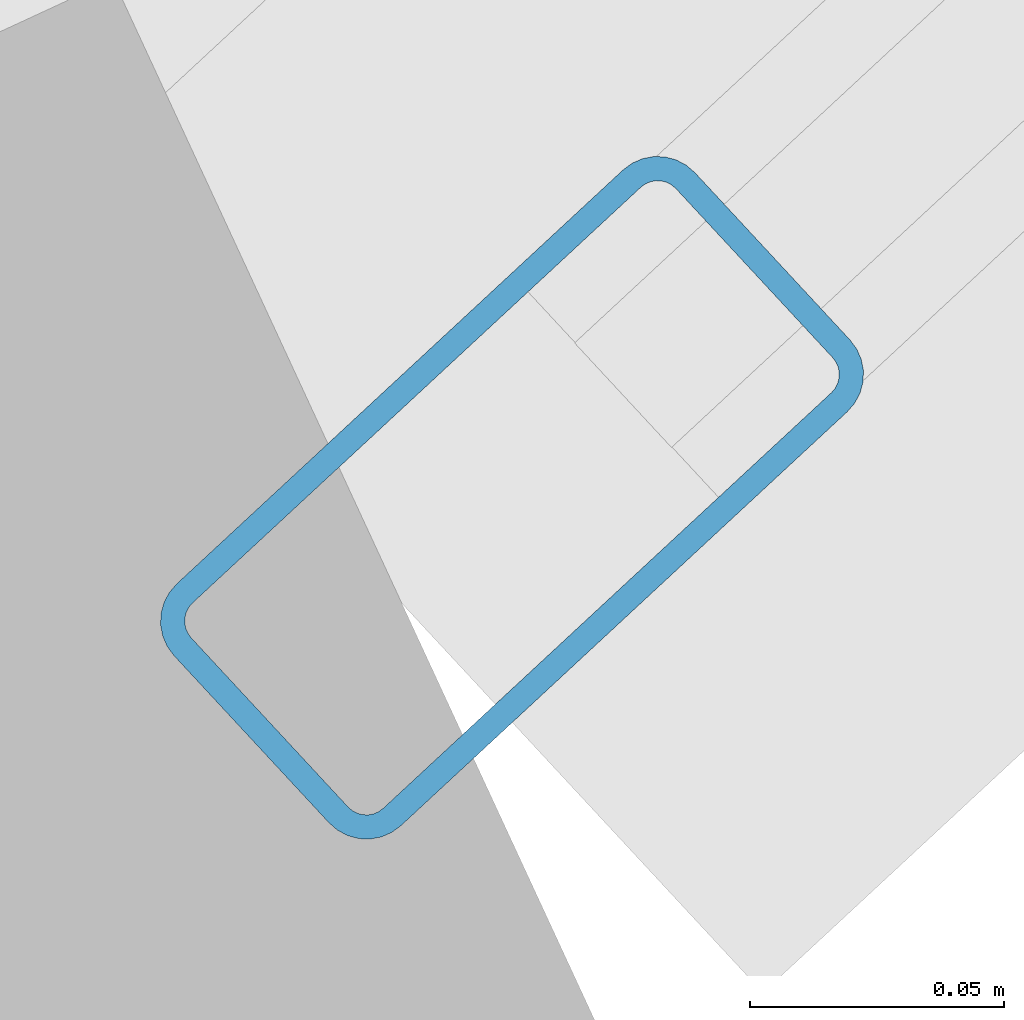
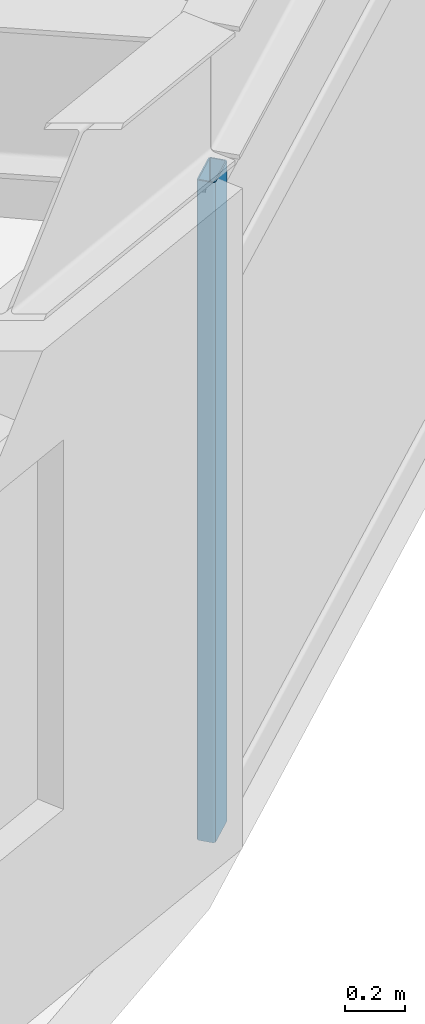
# One storey, part 5 of 25: 1 member, 1 element without a shape of its own.
"""IFC4 building model written with IfcOpenShell, lengths in metres."""

import ifcopenshell
import ifcopenshell.guid

model = None  # the IFC model being written
_history = None  # IfcOwnerHistory: only IFC2X3 demands one
_inside = {}  # id of a spatial element -> (the spatial element, [elements in it])
_under = {}  # id of a project, library or spatial element -> (it, [spatial elements below it])
_declared = {}  # id of a project -> (the project, [libraries it declares])
_typed = {}  # id of a type object -> (the type object, [elements of that type])
_made_of = {}  # id of a material, layer set ... -> (it, [elements and type objects made of it])


def new_model(schema):
    """Start an empty IFC model of exactly this schema.

    Asked for "IFC4X3", IfcOpenShell would pick the latest addendum, in which some entities
    have other attributes; the version numbers below select the first issue.
    IFC2X3 requires an IfcOwnerHistory on every rooted entity: one is made here for all.
    """
    global model, _history
    if schema == "IFC4X3":
        model = ifcopenshell.file(schema_version=(4, 3, 0, 0))
    else:
        model = ifcopenshell.file(schema=schema)
    _inside.clear()
    _under.clear()
    _declared.clear()
    _typed.clear()
    _made_of.clear()
    _history = None
    if model.schema == "IFC2X3":
        org = make("IfcOrganization", Name="unknown")
        user = make(
            "IfcPersonAndOrganization",
            ThePerson=make("IfcPerson", FamilyName="unknown"),
            TheOrganization=org,
        )
        app = make(
            "IfcApplication",
            ApplicationDeveloper=org,
            Version="unknown",
            ApplicationFullName="unknown",
            ApplicationIdentifier="unknown",
        )
        _history = make(
            "IfcOwnerHistory",
            OwningUser=user,
            OwningApplication=app,
            ChangeAction="ADDED",
            CreationDate=0,
        )
    return model


def make(cls, **values):
    """One entity of the class cls with the attributes given. An attribute that is None is left unset."""
    return model.create_entity(
        cls, **{name: value for name, value in values.items() if value is not None}
    )


def rooted(cls, **values):
    """An entity with a GlobalId (a new one), such as an element, a storey or a relation."""
    return make(cls, GlobalId=ifcopenshell.guid.new(), OwnerHistory=_history, **values)


def si_unit(unit_type, name, prefix=None):
    """IfcSIUnit, for example si_unit("LENGTHUNIT", "METRE", prefix="MILLI")."""
    return make("IfcSIUnit", UnitType=unit_type, Prefix=prefix, Name=name)


def assignment(units):
    """IfcUnitAssignment: the units of a project."""
    return None if units is None else make("IfcUnitAssignment", Units=units)


def point(xyz):
    """IfcCartesianPoint."""
    return None if xyz is None else make("IfcCartesianPoint", Coordinates=xyz)


def direction(xyz):
    """IfcDirection."""
    return None if xyz is None else make("IfcDirection", DirectionRatios=xyz)


def frame(location, z_axis=None, x_axis=None):
    """IfcAxis2Placement3D, a coordinate frame: its origin and axes. An axis left out is left unset."""
    return make(
        "IfcAxis2Placement3D",
        Location=point(location),
        Axis=direction(z_axis),
        RefDirection=direction(x_axis),
    )


def frame_2d(location, x_axis=None):
    """IfcAxis2Placement2D, a coordinate frame in the plane: its origin and x axis."""
    return make(
        "IfcAxis2Placement2D", Location=point(location), RefDirection=direction(x_axis)
    )


def origin():
    """The frame at (0, 0, 0) with its axes left unset."""
    return frame((0.0, 0.0, 0.0))


def origin_2d():
    """The frame at (0, 0) in the plane with its x axis left unset."""
    return frame_2d((0.0, 0.0))


def place(relative_to, where):
    """IfcLocalPlacement: puts the frame where relative to a parent placement (None: the world)."""
    return make(
        "IfcLocalPlacement", PlacementRelTo=relative_to, RelativePlacement=where
    )


def context(
    kind, dimensions, precision=None, world=None, true_north=None, identifier=None
):
    """IfcGeometricRepresentationContext, for example the 3D "Model" context."""
    return make(
        "IfcGeometricRepresentationContext",
        ContextIdentifier=identifier,
        ContextType=kind,
        CoordinateSpaceDimension=dimensions,
        Precision=precision,
        WorldCoordinateSystem=world,
        TrueNorth=true_north,
    )


def subcontext(parent, identifier, kind, view, scale=None):
    """IfcGeometricRepresentationSubContext, for example "Body" below "Model"."""
    return make(
        "IfcGeometricRepresentationSubContext",
        ContextIdentifier=identifier,
        ContextType=kind,
        ParentContext=parent,
        TargetScale=scale,
        TargetView=view,
    )


def project(units=None, contexts=None):
    """IfcProject with its units and contexts."""
    return rooted(
        "IfcProject",
        Name="project",
        RepresentationContexts=contexts,
        UnitsInContext=assignment(units),
    )


def spatial(cls, under=None, at=None, **own):
    """A site, building, storey or space (cls), placed at a placement, below another one or the project."""
    s = rooted(cls, ObjectPlacement=at, **own)
    if under is not None:
        _under.setdefault(under.id(), (under, []))[1].append(s)
    return s


def profile(cls, at=None, kind="AREA", **sizes):
    """A parametric profile (cls). Its sizes go by their IFC names, for example OverallWidth=200.0."""
    return make(cls, ProfileType=kind, Position=at, **sizes)


def hollow_rectangle(**sizes):
    """IfcRectangleHollowProfileDef."""
    return profile("IfcRectangleHollowProfileDef", **sizes)


def extrude(swept, where, along, depth):
    """IfcExtrudedAreaSolid: the profile swept, set in the frame where, extruded along a direction by depth."""
    return make(
        "IfcExtrudedAreaSolid",
        SweptArea=swept,
        Position=where,
        ExtrudedDirection=direction(along),
        Depth=depth,
    )


def shape(context_of_items, identifier, shape_type, items):
    """IfcShapeRepresentation: the items that make up one representation, for example the "Body"."""
    return make(
        "IfcShapeRepresentation",
        ContextOfItems=context_of_items,
        RepresentationIdentifier=identifier,
        RepresentationType=shape_type,
        Items=items,
    )


def material(Name=None, Category=None):
    """IfcMaterial."""
    return make("IfcMaterial", Name=Name, Category=Category)


def layer(
    of_material, thickness, ventilated=None, Name=None, Category=None, Priority=None
):
    """IfcMaterialLayer: one layer of a wall or slab, of a material (None: an air gap)."""
    return make(
        "IfcMaterialLayer",
        Material=of_material,
        LayerThickness=thickness,
        IsVentilated=ventilated,
        Name=Name,
        Category=Category,
        Priority=Priority,
    )


def layer_set(layers, Name=None):
    """IfcMaterialLayerSet."""
    return make("IfcMaterialLayerSet", MaterialLayers=layers, LayerSetName=Name)


def material_profile(
    of_material, cross_section, Name=None, Category=None, Priority=None
):
    """IfcMaterialProfile: a cross section and its material."""
    return make(
        "IfcMaterialProfile",
        Name=Name,
        Material=of_material,
        Profile=cross_section,
        Priority=Priority,
        Category=Category,
    )


def profile_set(profiles, Name=None, composite=None):
    """IfcMaterialProfileSet."""
    return make(
        "IfcMaterialProfileSet",
        Name=Name,
        MaterialProfiles=profiles,
        CompositeProfile=composite,
    )


def made_of(thing, what):
    """Note that an element or type object is made of a material, layer set ...; save() writes the relation."""
    if what is not None:
        _made_of.setdefault(what.id(), (what, []))[1].append(thing)
    return thing


def type_object(cls, material=None, **own):
    """A type object (cls), such as IfcWallType, which elements share."""
    return made_of(rooted(cls, **own), material)


def element(
    cls,
    number,
    at=None,
    inside=None,
    cuts=None,
    type_object=None,
    material=None,
    context=None,
    identifier="Body",
    shape_type=None,
    held_by="IfcProductDefinitionShape",
    body=None,
    shapes=None,
    **own,
):
    """One element of the class cls, such as IfcWall. Its Tag is "e" and its number.

    at: its placement. inside: the storey or other place that contains it. cuts: it is an
    opening in that element (IfcRelVoidsElement). A single representation is given by context,
    identifier, shape_type and body (its items); several are given by shapes. held_by: the class
    of the entity that holds the representations. save() writes the other relations.
    """
    e = rooted(cls, Tag="e%d" % number, ObjectPlacement=at, **own)
    if body is not None:
        shapes = [shape(context, identifier, shape_type, body)]
    if shapes is not None:
        e.Representation = make(held_by, Representations=shapes)
    if inside is not None:
        _inside.setdefault(inside.id(), (inside, []))[1].append(e)
    if cuts is not None:
        rooted(
            "IfcRelVoidsElement", RelatingBuildingElement=cuts, RelatedOpeningElement=e
        )
    if type_object is not None:
        _typed.setdefault(type_object.id(), (type_object, []))[1].append(e)
    return made_of(e, material)


def aggregate(whole, parts):
    """IfcRelAggregates: a whole, such as a stair, and the parts it consists of."""
    return rooted("IfcRelAggregates", RelatingObject=whole, RelatedObjects=parts)


def save(model, path):
    """Write the relations noted so far, then the file.

    IfcRelAggregates (storeys below a building ...), IfcRelContainedInSpatialStructure (elements
    in a storey), IfcRelDefinesByType, IfcRelAssociatesMaterial and IfcRelDeclares: one each for
    every whole, place, type object, material and project.
    """
    for whole, parts in _under.values():
        aggregate(whole, parts)
    for where, things in _inside.values():
        rooted(
            "IfcRelContainedInSpatialStructure",
            RelatedElements=things,
            RelatingStructure=where,
        )
    for kind, things in _typed.values():
        rooted("IfcRelDefinesByType", RelatedObjects=things, RelatingType=kind)
    for what, things in _made_of.values():
        rooted("IfcRelAssociatesMaterial", RelatedObjects=things, RelatingMaterial=what)
    for by, libraries in _declared.values():
        rooted("IfcRelDeclares", RelatingContext=by, RelatedDefinitions=libraries)
    model.write(path)


model = new_model("IFC4")

# Units and contexts
model_context = context("Model", 3, precision=1e-05, world=origin(), true_north=direction((0.0, 1.0)))
body_context = subcontext(model_context, "Body", "Model", "MODEL_VIEW")
ifc_project = project(units=[si_unit("LENGTHUNIT", "METRE"), si_unit("AREAUNIT", "SQUARE_METRE"), si_unit("VOLUMEUNIT", "CUBIC_METRE"), si_unit("PLANEANGLEUNIT", "RADIAN"), si_unit("MASSUNIT", "GRAM", prefix="KILO")], contexts=[model_context])

# Site, building, storey
site_placement = place(None, origin())
site = spatial("IfcSite", under=ifc_project, at=site_placement, CompositionType="ELEMENT")
building_placement = place(site_placement, origin())
building = spatial("IfcBuilding", under=site, at=building_placement, Name="Soratama Intermodal Tower", CompositionType="ELEMENT")
storey_placement = place(building_placement, frame((0.0, 0.0, 190.60009765625)))
storey = spatial("IfcBuildingStorey", under=building, at=storey_placement, Name="L47", CompositionType="ELEMENT", Elevation=190.60009765625)

# Curtain wall, member
ifc_material_1 = material(Name="Double-glazed aluminium curtain wall", Category="aluminium")
ifc_layer = layer(ifc_material_1, 0.159912109375)
ifc_layer_set = layer_set([ifc_layer], Name="Double-glazed aluminium curtain wall")
curtain_wall_type = type_object("IfcCurtainWallType", Name="CW-SYS-5", PredefinedType="NOTDEFINED", material=ifc_layer_set)
curtain_wall_placement = place(storey_placement, origin())
curtain_wall = element("IfcCurtainWall", 1, at=curtain_wall_placement, inside=storey, type_object=curtain_wall_type, Name="L47 Faceted Curtain Wall F08", PredefinedType="NOTDEFINED")
ifc_material_2 = material(Name="Anodised aluminium AA 6063-T6", Category="aluminium")
ifc_material_profile = material_profile(ifc_material_2, hollow_rectangle(XDim=0.06494140625, YDim=0.139892578125, WallThickness=0.0048828125, InnerFilletRadius=0.0048828125, OuterFilletRadius=0.010009765625, at=origin_2d()), Name="CWM140X65X5")
ifc_profile_set = profile_set([ifc_material_profile], Name="Anodised aluminium AA 6063-T6")
member_type = type_object("IfcMemberType", Name="MT-CWM-5", PredefinedType="MULLION", material=ifc_profile_set)
member_placement = place(storey_placement, frame((54.6630859375, 7.724609375, 0.0), z_axis=(0.0, 0.0, 1.0), x_axis=(-0.679958318998, 0.733250765036, 0.0)))
member = element("IfcMember", 2, at=member_placement, type_object=member_type, Name="CW-5 mullion 1", PredefinedType="MULLION", context=body_context, shape_type="SweptSolid", body=[
    extrude(hollow_rectangle(XDim=0.06494140625, YDim=0.139892578125, WallThickness=0.0048828125, InnerFilletRadius=0.0048828125, OuterFilletRadius=0.010009765625, at=origin_2d()), origin(), (0.0, 0.0, 1.0), 2.678955078125),
])
aggregate(curtain_wall, [member])

save(model, "model.ifc")
